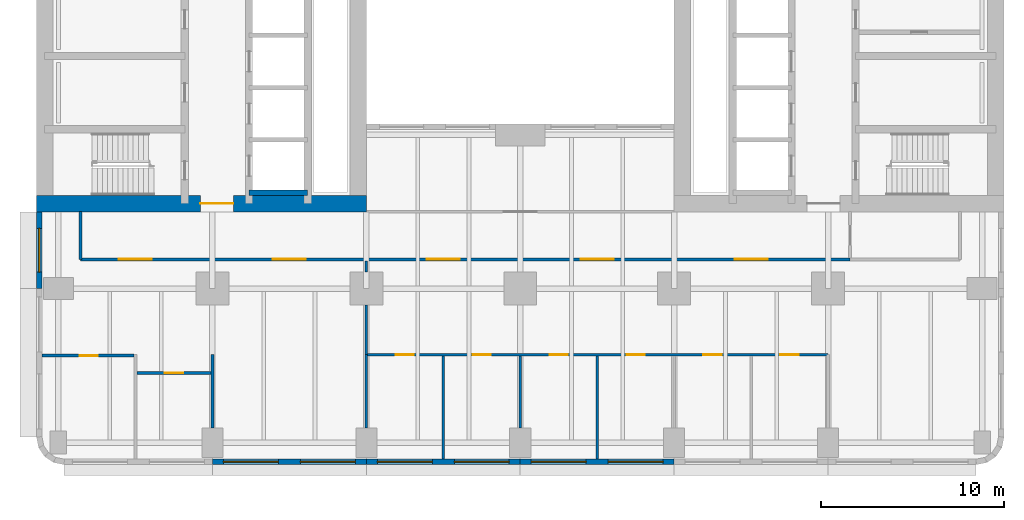
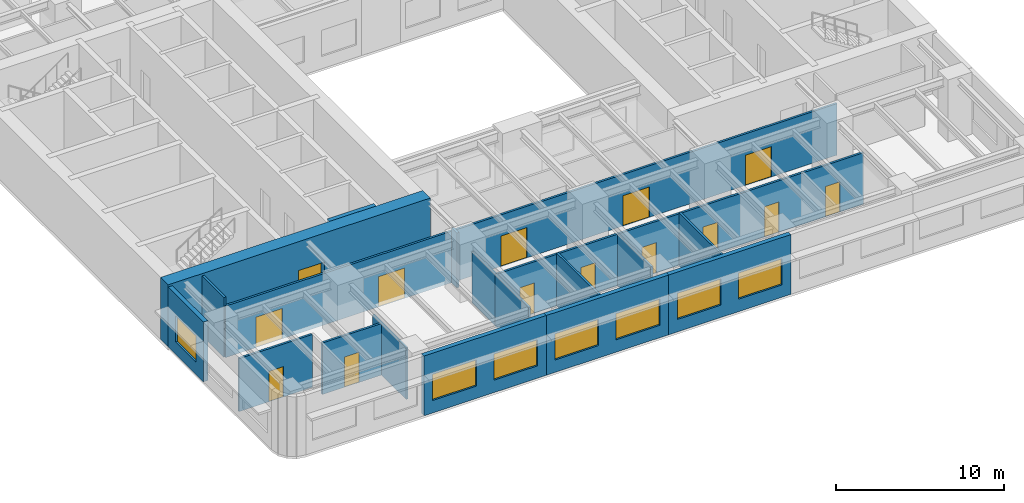
# One storey, part 3 of 12: 18 walls, 14 doors, 7 windows, 21 openings.
"""IFC4 building model written with IfcOpenShell, lengths in metres."""

from ifc_helpers import new_model, si_unit, direction, frame, frame_2d, origin, place, context, subcontext, project, spatial, rectangle, extrude, material, layer, layer_set, type_object, element, fill, save


model = new_model("IFC4")

# Units and contexts
model_context = context("Model", 3, precision=1e-05, world=origin(), true_north=direction((0.0, 1.0)))
body_context = subcontext(model_context, "Body", "Model", "MODEL_VIEW")
ifc_project = project(units=[si_unit("LENGTHUNIT", "METRE"), si_unit("AREAUNIT", "SQUARE_METRE"), si_unit("VOLUMEUNIT", "CUBIC_METRE"), si_unit("PLANEANGLEUNIT", "RADIAN"), si_unit("MASSUNIT", "GRAM", prefix="KILO")], contexts=[model_context])

# Site, building, storey
site_placement = place(None, origin())
site = spatial("IfcSite", under=ifc_project, at=site_placement, CompositionType="ELEMENT")
building_placement = place(site_placement, origin())
building = spatial("IfcBuilding", under=site, at=building_placement, Name="Claustro Exchange Tower", CompositionType="ELEMENT")
storey_placement = place(building_placement, frame((0.0, 0.0, 63.89990234375)))
storey = spatial("IfcBuildingStorey", under=building, at=storey_placement, Name="L14", CompositionType="ELEMENT", Elevation=63.89990234375)

# Wall, opening, door
ifc_material_1 = material(Name="Gypsum board on steel studs", Category="steel")
ifc_layer_1 = layer(ifc_material_1, 0.14990234375)
ifc_layer_set_1 = layer_set([ifc_layer_1], Name="Gypsum board on steel studs")
wall_type_1 = type_object("IfcWallType", Name="P1 150 plasterboard partition", PredefinedType="PARTITIONING", material=ifc_layer_set_1)
wall_1_placement = place(storey_placement, frame((-0.902099609375, 4.75, 0.0), z_axis=(0.0, 0.0, 1.0), x_axis=(1.0, 0.0, 0.0)))
wall_1 = element("IfcWall", 1, at=wall_1_placement, inside=storey, type_object=wall_type_1, Name="Partition P1 L14", PredefinedType="PARTITIONING", context=body_context, shape_type="SweptSolid", body=[
    extrude(rectangle(XDim=5.028076171875, YDim=0.14990234375, at=frame_2d((2.51416015625, 0.0))), origin(), (0.0, 0.0, 1.0), 3.840087890625),
])
opening_1_placement = place(wall_1_placement, frame((2.052001953125, 0.0, 0.0)))
opening_1 = element("IfcOpeningElement", 2, at=opening_1_placement, cuts=wall_1, Name="Opening D1", PredefinedType="OPENING", context=body_context, shape_type="SweptSolid", body=[
    extrude(rectangle(XDim=1.0, YDim=2.199951171875, at=frame_2d((0.5, 1.10009765625))), frame((0.0, 0.0849609375, 0.0), z_axis=(0.0, -1.0, 0.0), x_axis=(1.0, 0.0, 0.0)), (0.0, 0.0, 1.0), 0.169921875),
])
ifc_material_2 = material(Name="Timber door, oak veneer", Category="wood")
door_type_1 = type_object("IfcDoorType", Name="D1 1000 x 2200 single door", OperationType="SINGLE_SWING_LEFT", PredefinedType="DOOR", material=ifc_material_2)
door_1_placement = place(opening_1_placement, frame((1.0, 0.0, 0.0), z_axis=(0.0, 0.0, 1.0), x_axis=(-1.0, 0.0, 0.0)))
door_1 = element("IfcDoor", 3, at=door_1_placement, inside=storey, type_object=door_type_1, Name="Door D1 L14", OperationType="SINGLE_SWING_LEFT", OverallHeight=2.199951171875, OverallWidth=1.0, PredefinedType="DOOR", context=body_context, shape_type="SweptSolid", body=[
    extrude(rectangle(XDim=1.0, YDim=2.199951171875, at=frame_2d((0.5, 1.10009765625))), frame((0.0, 0.02490234375, 0.0), z_axis=(0.0, -1.0, 0.0), x_axis=(1.0, 0.0, 0.0)), (0.0, 0.0, 1.0), 0.050048828125),
])
fill(opening_1, door_1)

wall_2_placement = place(storey_placement, frame((4.27392578125, 3.800048828125, 0.0), z_axis=(0.0, 0.0, 1.0), x_axis=(1.0, 0.0, 0.0)))
wall_2 = element("IfcWall", 4, at=wall_2_placement, inside=storey, type_object=wall_type_1, Name="Partition P1 L14", PredefinedType="PARTITIONING", context=body_context, shape_type="SweptSolid", body=[
    extrude(rectangle(XDim=4.052001953125, YDim=0.14990234375, at=frame_2d((2.02587890625, 0.0))), origin(), (0.0, 0.0, 1.0), 3.739990234375),
])
opening_2_placement = place(wall_2_placement, frame((1.52587890625, 0.0, 0.0)))
opening_2 = element("IfcOpeningElement", 5, at=opening_2_placement, cuts=wall_2, Name="Opening D1", PredefinedType="OPENING", context=body_context, shape_type="SweptSolid", body=[
    extrude(rectangle(XDim=1.0, YDim=2.199951171875, at=frame_2d((0.5, 1.10009765625))), frame((0.0, 0.0849609375, 0.0), z_axis=(0.0, -1.0, 0.0), x_axis=(1.0, 0.0, 0.0)), (0.0, 0.0, 1.0), 0.169921875),
])
door_2_placement = place(opening_2_placement, frame((1.0, 0.0, 0.0), z_axis=(0.0, 0.0, 1.0), x_axis=(-1.0, 0.0, 0.0)))
door_2 = element("IfcDoor", 6, at=door_2_placement, inside=storey, type_object=door_type_1, Name="Door D1 L14", OperationType="SINGLE_SWING_RIGHT", OverallHeight=2.199951171875, OverallWidth=1.0, PredefinedType="DOOR", context=body_context, shape_type="SweptSolid", body=[
    extrude(rectangle(XDim=1.0, YDim=2.199951171875, at=frame_2d((0.5, 1.10009765625))), frame((0.0, 0.02490234375, 0.0), z_axis=(0.0, -1.0, 0.0), x_axis=(1.0, 0.0, 0.0)), (0.0, 0.0, 1.0), 0.050048828125),
])
fill(opening_2, door_2)

# Wall
wall_3_placement = place(storey_placement, frame((8.39990234375, 0.799072265625, 0.0), z_axis=(0.0, 0.0, 1.0), x_axis=(0.0, 1.0, 0.0)))
element("IfcWall", 7, at=wall_3_placement, inside=storey, type_object=wall_type_1, Name="Partition P1 L14", PredefinedType="PARTITIONING", context=body_context, shape_type="SweptSolid", body=[
    extrude(rectangle(XDim=4.0009765625, YDim=0.14990234375, at=frame_2d((2.00048828125, 0.0))), origin(), (0.0, 0.0, 1.0), 3.739990234375),
])

# Wall, openings, doors
wall_4_placement = place(storey_placement, frame((16.8740234375, 4.800048828125, 0.0), z_axis=(0.0, 0.0, 1.0), x_axis=(1.0, 0.0, 0.0)))
wall_4 = element("IfcWall", 8, at=wall_4_placement, inside=storey, type_object=wall_type_1, Name="Partition P1 L14", PredefinedType="PARTITIONING", context=body_context, shape_type="SweptSolid", body=[
    extrude(rectangle(XDim=25.1259765625, YDim=0.14990234375, at=frame_2d((12.56298828125, 0.0))), origin(), (0.0, 0.0, 1.0), 3.739990234375),
])
opening_3_placement = place(wall_4_placement, frame((1.52587890625, 0.0, 0.0)))
opening_3 = element("IfcOpeningElement", 9, at=opening_3_placement, cuts=wall_4, Name="Opening D1", PredefinedType="OPENING", context=body_context, shape_type="SweptSolid", body=[
    extrude(rectangle(XDim=1.0, YDim=2.199951171875, at=frame_2d((0.5, 1.10009765625))), frame((0.0, 0.0849609375, 0.0), z_axis=(0.0, -1.0, 0.0), x_axis=(1.0, 0.0, 0.0)), (0.0, 0.0, 1.0), 0.169921875),
])
opening_4_placement = place(wall_4_placement, frame((5.72607421875, 0.0, 0.0)))
opening_4 = element("IfcOpeningElement", 10, at=opening_4_placement, cuts=wall_4, Name="Opening D1", PredefinedType="OPENING", context=body_context, shape_type="SweptSolid", body=[
    extrude(rectangle(XDim=1.0, YDim=2.199951171875, at=frame_2d((0.5, 1.10009765625))), frame((0.0, 0.0849609375, 0.0), z_axis=(0.0, -1.0, 0.0), x_axis=(1.0, 0.0, 0.0)), (0.0, 0.0, 1.0), 0.169921875),
])
opening_5_placement = place(wall_4_placement, frame((9.926025390625, 0.0, 0.0)))
opening_5 = element("IfcOpeningElement", 11, at=opening_5_placement, cuts=wall_4, Name="Opening D1", PredefinedType="OPENING", context=body_context, shape_type="SweptSolid", body=[
    extrude(rectangle(XDim=1.0, YDim=2.199951171875, at=frame_2d((0.5, 1.10009765625))), frame((0.0, 0.0849609375, 0.0), z_axis=(0.0, -1.0, 0.0), x_axis=(1.0, 0.0, 0.0)), (0.0, 0.0, 1.0), 0.169921875),
])
opening_6_placement = place(wall_4_placement, frame((14.1259765625, 0.0, 0.0)))
opening_6 = element("IfcOpeningElement", 12, at=opening_6_placement, cuts=wall_4, Name="Opening D1", PredefinedType="OPENING", context=body_context, shape_type="SweptSolid", body=[
    extrude(rectangle(XDim=1.0, YDim=2.199951171875, at=frame_2d((0.5, 1.10009765625))), frame((0.0, 0.0849609375, 0.0), z_axis=(0.0, -1.0, 0.0), x_axis=(1.0, 0.0, 0.0)), (0.0, 0.0, 1.0), 0.169921875),
])
opening_7_placement = place(wall_4_placement, frame((18.325927734375, 0.0, 0.0)))
opening_7 = element("IfcOpeningElement", 13, at=opening_7_placement, cuts=wall_4, Name="Opening D1", PredefinedType="OPENING", context=body_context, shape_type="SweptSolid", body=[
    extrude(rectangle(XDim=1.0, YDim=2.199951171875, at=frame_2d((0.5, 1.10009765625))), frame((0.0, 0.0849609375, 0.0), z_axis=(0.0, -1.0, 0.0), x_axis=(1.0, 0.0, 0.0)), (0.0, 0.0, 1.0), 0.169921875),
])
opening_8_placement = place(wall_4_placement, frame((22.52587890625, 0.0, 0.0)))
opening_8 = element("IfcOpeningElement", 14, at=opening_8_placement, cuts=wall_4, Name="Opening D1", PredefinedType="OPENING", context=body_context, shape_type="SweptSolid", body=[
    extrude(rectangle(XDim=1.0, YDim=2.199951171875, at=frame_2d((0.5, 1.10009765625))), frame((0.0, 0.0849609375, 0.0), z_axis=(0.0, -1.0, 0.0), x_axis=(1.0, 0.0, 0.0)), (0.0, 0.0, 1.0), 0.169921875),
])
door_3_placement = place(opening_3_placement, frame((1.0, 0.0, 0.0), z_axis=(0.0, 0.0, 1.0), x_axis=(-1.0, 0.0, 0.0)))
door_3 = element("IfcDoor", 15, at=door_3_placement, inside=storey, type_object=door_type_1, Name="Door D1 L14", OperationType="SINGLE_SWING_RIGHT", OverallHeight=2.199951171875, OverallWidth=1.0, PredefinedType="DOOR", context=body_context, shape_type="SweptSolid", body=[
    extrude(rectangle(XDim=1.0, YDim=2.199951171875, at=frame_2d((0.5, 1.10009765625))), frame((0.0, 0.02490234375, 0.0), z_axis=(0.0, -1.0, 0.0), x_axis=(1.0, 0.0, 0.0)), (0.0, 0.0, 1.0), 0.050048828125),
])
fill(opening_3, door_3)
door_4_placement = place(opening_4_placement, frame((1.0, 0.0, 0.0), z_axis=(0.0, 0.0, 1.0), x_axis=(-1.0, 0.0, 0.0)))
door_4 = element("IfcDoor", 16, at=door_4_placement, inside=storey, type_object=door_type_1, Name="Door D1 L14", OperationType="SINGLE_SWING_RIGHT", OverallHeight=2.199951171875, OverallWidth=1.0, PredefinedType="DOOR", context=body_context, shape_type="SweptSolid", body=[
    extrude(rectangle(XDim=1.0, YDim=2.199951171875, at=frame_2d((0.5, 1.10009765625))), frame((0.0, 0.02490234375, 0.0), z_axis=(0.0, -1.0, 0.0), x_axis=(1.0, 0.0, 0.0)), (0.0, 0.0, 1.0), 0.050048828125),
])
fill(opening_4, door_4)
door_5_placement = place(opening_5_placement, frame((1.0, 0.0, 0.0), z_axis=(0.0, 0.0, 1.0), x_axis=(-1.0, 0.0, 0.0)))
door_5 = element("IfcDoor", 17, at=door_5_placement, inside=storey, type_object=door_type_1, Name="Door D1 L14", OperationType="SINGLE_SWING_RIGHT", OverallHeight=2.199951171875, OverallWidth=1.0, PredefinedType="DOOR", context=body_context, shape_type="SweptSolid", body=[
    extrude(rectangle(XDim=1.0, YDim=2.199951171875, at=frame_2d((0.5, 1.10009765625))), frame((0.0, 0.02490234375, 0.0), z_axis=(0.0, -1.0, 0.0), x_axis=(1.0, 0.0, 0.0)), (0.0, 0.0, 1.0), 0.050048828125),
])
fill(opening_5, door_5)
door_6_placement = place(opening_6_placement, frame((1.0, 0.0, 0.0), z_axis=(0.0, 0.0, 1.0), x_axis=(-1.0, 0.0, 0.0)))
door_6 = element("IfcDoor", 18, at=door_6_placement, inside=storey, type_object=door_type_1, Name="Door D1 L14", OperationType="SINGLE_SWING_RIGHT", OverallHeight=2.199951171875, OverallWidth=1.0, PredefinedType="DOOR", context=body_context, shape_type="SweptSolid", body=[
    extrude(rectangle(XDim=1.0, YDim=2.199951171875, at=frame_2d((0.5, 1.10009765625))), frame((0.0, 0.02490234375, 0.0), z_axis=(0.0, -1.0, 0.0), x_axis=(1.0, 0.0, 0.0)), (0.0, 0.0, 1.0), 0.050048828125),
])
fill(opening_6, door_6)
door_7_placement = place(opening_7_placement, frame((1.0, 0.0, 0.0), z_axis=(0.0, 0.0, 1.0), x_axis=(-1.0, 0.0, 0.0)))
door_7 = element("IfcDoor", 19, at=door_7_placement, inside=storey, type_object=door_type_1, Name="Door D1 L14", OperationType="SINGLE_SWING_RIGHT", OverallHeight=2.199951171875, OverallWidth=1.0, PredefinedType="DOOR", context=body_context, shape_type="SweptSolid", body=[
    extrude(rectangle(XDim=1.0, YDim=2.199951171875, at=frame_2d((0.5, 1.10009765625))), frame((0.0, 0.02490234375, 0.0), z_axis=(0.0, -1.0, 0.0), x_axis=(1.0, 0.0, 0.0)), (0.0, 0.0, 1.0), 0.050048828125),
])
fill(opening_7, door_7)
door_8_placement = place(opening_8_placement, frame((1.0, 0.0, 0.0), z_axis=(0.0, 0.0, 1.0), x_axis=(-1.0, 0.0, 0.0)))
door_8 = element("IfcDoor", 20, at=door_8_placement, inside=storey, type_object=door_type_1, Name="Door D1 L14", OperationType="SINGLE_SWING_RIGHT", OverallHeight=2.199951171875, OverallWidth=1.0, PredefinedType="DOOR", context=body_context, shape_type="SweptSolid", body=[
    extrude(rectangle(XDim=1.0, YDim=2.199951171875, at=frame_2d((0.5, 1.10009765625))), frame((0.0, 0.02490234375, 0.0), z_axis=(0.0, -1.0, 0.0), x_axis=(1.0, 0.0, 0.0)), (0.0, 0.0, 1.0), 0.050048828125),
])
fill(opening_8, door_8)

# Walls
wall_5_placement = place(storey_placement, frame((16.800048828125, 0.799072265625, 0.0), z_axis=(0.0, 0.0, 1.0), x_axis=(0.0, 1.0, 0.0)))
element("IfcWall", 21, at=wall_5_placement, inside=storey, type_object=wall_type_1, Name="Partition P1 L14", PredefinedType="PARTITIONING", context=body_context, shape_type="SweptSolid", body=[
    extrude(rectangle(XDim=4.0029296875, YDim=0.14990234375, at=frame_2d((2.00146484375, 0.0))), origin(), (0.0, 0.0, 1.0), 3.739990234375),
])
wall_6_placement = place(storey_placement, frame((21.0, -0.902099609375, 0.0), z_axis=(0.0, 0.0, 1.0), x_axis=(0.0, 1.0, 0.0)))
element("IfcWall", 22, at=wall_6_placement, inside=storey, type_object=wall_type_1, Name="Partition P1 L14", PredefinedType="PARTITIONING", context=body_context, shape_type="SweptSolid", body=[
    extrude(rectangle(XDim=5.628173828125, YDim=0.14990234375, at=frame_2d((2.81396484375, 0.0))), origin(), (0.0, 0.0, 1.0), 3.840087890625),
])
wall_7_placement = place(storey_placement, frame((25.199951171875, 0.799072265625, 0.0), z_axis=(0.0, 0.0, 1.0), x_axis=(0.0, 1.0, 0.0)))
element("IfcWall", 23, at=wall_7_placement, inside=storey, type_object=wall_type_1, Name="Partition P1 L14", PredefinedType="PARTITIONING", context=body_context, shape_type="SweptSolid", body=[
    extrude(rectangle(XDim=3.927001953125, YDim=0.14990234375, at=frame_2d((1.96337890625, 0.0))), origin(), (0.0, 0.0, 1.0), 3.739990234375),
])
wall_8_placement = place(storey_placement, frame((29.39990234375, -0.902099609375, 0.0), z_axis=(0.0, 0.0, 1.0), x_axis=(0.0, 1.0, 0.0)))
element("IfcWall", 24, at=wall_8_placement, inside=storey, type_object=wall_type_1, Name="Partition P1 L14", PredefinedType="PARTITIONING", context=body_context, shape_type="SweptSolid", body=[
    extrude(rectangle(XDim=5.628173828125, YDim=0.14990234375, at=frame_2d((2.81396484375, 0.0))), origin(), (0.0, 0.0, 1.0), 3.840087890625),
])
wall_9_placement = place(storey_placement, frame((16.800048828125, 4.798095703125, 0.0), z_axis=(0.0, 0.0, 1.0), x_axis=(0.0, 1.0, 0.0)))
element("IfcWall", 25, at=wall_9_placement, inside=storey, type_object=wall_type_1, Name="Partition P1 L14", PredefinedType="PARTITIONING", context=body_context, shape_type="SweptSolid", body=[
    extrude(rectangle(XDim=2.702880859375, YDim=0.14990234375, at=frame_2d((1.3515625, 0.0))), origin(), (0.0, 0.0, 1.0), 3.739990234375),
])
wall_10_placement = place(storey_placement, frame((16.800048828125, 9.299072265625, 0.0), z_axis=(0.0, 0.0, 1.0), x_axis=(0.0, 1.0, 0.0)))
element("IfcWall", 26, at=wall_10_placement, inside=storey, type_object=wall_type_1, Name="Partition P1 L14", PredefinedType="PARTITIONING", context=body_context, shape_type="SweptSolid", body=[
    extrude(rectangle(XDim=0.626953125, YDim=0.14990234375, at=frame_2d((0.3134765625, 0.0))), origin(), (0.0, 0.0, 1.0), 3.97998046875),
])

# Wall, openings, doors
wall_11_placement = place(storey_placement, frame((1.199951171875, 10.0, 0.0), z_axis=(0.0, 0.0, 1.0), x_axis=(1.0, 0.0, 0.0)))
wall_11 = element("IfcWall", 27, at=wall_11_placement, inside=storey, type_object=wall_type_1, Name="Partition P1 L14", PredefinedType="PARTITIONING", context=body_context, shape_type="SweptSolid", body=[
    extrude(rectangle(XDim=42.001953125, YDim=0.14990234375, at=frame_2d((21.0009765625, 0.0))), origin(), (0.0, 0.0, 1.0), 3.739990234375),
])
opening_9_placement = place(wall_11_placement, frame((2.10009765625, 0.0, 0.0)))
opening_9 = element("IfcOpeningElement", 28, at=opening_9_placement, cuts=wall_11, Name="Opening D2", PredefinedType="OPENING", context=body_context, shape_type="SweptSolid", body=[
    extrude(rectangle(XDim=1.800048828125, YDim=2.199951171875, at=frame_2d((0.89990234375, 1.10009765625))), frame((0.0, 0.0849609375, 0.0), z_axis=(0.0, -1.0, 0.0), x_axis=(1.0, 0.0, 0.0)), (0.0, 0.0, 1.0), 0.169921875),
])
opening_10_placement = place(wall_11_placement, frame((10.5, 0.0, 0.0)))
opening_10 = element("IfcOpeningElement", 29, at=opening_10_placement, cuts=wall_11, Name="Opening D2", PredefinedType="OPENING", context=body_context, shape_type="SweptSolid", body=[
    extrude(rectangle(XDim=1.800048828125, YDim=2.199951171875, at=frame_2d((0.89990234375, 1.10009765625))), frame((0.0, 0.0849609375, 0.0), z_axis=(0.0, -1.0, 0.0), x_axis=(1.0, 0.0, 0.0)), (0.0, 0.0, 1.0), 0.169921875),
])
opening_11_placement = place(wall_11_placement, frame((18.89990234375, 0.0, 0.0)))
opening_11 = element("IfcOpeningElement", 30, at=opening_11_placement, cuts=wall_11, Name="Opening D2", PredefinedType="OPENING", context=body_context, shape_type="SweptSolid", body=[
    extrude(rectangle(XDim=1.800048828125, YDim=2.199951171875, at=frame_2d((0.89990234375, 1.10009765625))), frame((0.0, 0.0849609375, 0.0), z_axis=(0.0, -1.0, 0.0), x_axis=(1.0, 0.0, 0.0)), (0.0, 0.0, 1.0), 0.169921875),
])
opening_12_placement = place(wall_11_placement, frame((27.300048828125, 0.0, 0.0)))
opening_12 = element("IfcOpeningElement", 31, at=opening_12_placement, cuts=wall_11, Name="Opening D2", PredefinedType="OPENING", context=body_context, shape_type="SweptSolid", body=[
    extrude(rectangle(XDim=1.800048828125, YDim=2.199951171875, at=frame_2d((0.89990234375, 1.10009765625))), frame((0.0, 0.0849609375, 0.0), z_axis=(0.0, -1.0, 0.0), x_axis=(1.0, 0.0, 0.0)), (0.0, 0.0, 1.0), 0.169921875),
])
opening_13_placement = place(wall_11_placement, frame((35.699951171875, 0.0, 0.0)))
opening_13 = element("IfcOpeningElement", 32, at=opening_13_placement, cuts=wall_11, Name="Opening D2", PredefinedType="OPENING", context=body_context, shape_type="SweptSolid", body=[
    extrude(rectangle(XDim=1.800048828125, YDim=2.199951171875, at=frame_2d((0.89990234375, 1.10009765625))), frame((0.0, 0.0849609375, 0.0), z_axis=(0.0, -1.0, 0.0), x_axis=(1.0, 0.0, 0.0)), (0.0, 0.0, 1.0), 0.169921875),
])
ifc_material_3 = material(Name="Timber door, oak veneer", Category="wood")
door_type_2 = type_object("IfcDoorType", Name="D2 1800 x 2200 double door", OperationType="DOUBLE_DOOR_SINGLE_SWING", PredefinedType="DOOR", material=ifc_material_3)
door_9_placement = place(opening_9_placement, frame((1.800048828125, 0.0, 0.0), z_axis=(0.0, 0.0, 1.0), x_axis=(-1.0, 0.0, 0.0)))
door_9 = element("IfcDoor", 33, at=door_9_placement, inside=storey, type_object=door_type_2, Name="Double door D2 L14", OperationType="DOUBLE_DOOR_SINGLE_SWING", OverallHeight=2.199951171875, OverallWidth=1.800048828125, PredefinedType="DOOR", context=body_context, shape_type="SweptSolid", body=[
    extrude(rectangle(XDim=1.800048828125, YDim=2.199951171875, at=frame_2d((0.89990234375, 1.10009765625))), frame((0.0, 0.02490234375, 0.0), z_axis=(0.0, -1.0, 0.0), x_axis=(1.0, 0.0, 0.0)), (0.0, 0.0, 1.0), 0.050048828125),
])
fill(opening_9, door_9)
door_10_placement = place(opening_10_placement, frame((1.800048828125, 0.0, 0.0), z_axis=(0.0, 0.0, 1.0), x_axis=(-1.0, 0.0, 0.0)))
door_10 = element("IfcDoor", 34, at=door_10_placement, inside=storey, type_object=door_type_2, Name="Double door D2 L14", OperationType="DOUBLE_DOOR_SINGLE_SWING", OverallHeight=2.199951171875, OverallWidth=1.800048828125, PredefinedType="DOOR", context=body_context, shape_type="SweptSolid", body=[
    extrude(rectangle(XDim=1.800048828125, YDim=2.199951171875, at=frame_2d((0.89990234375, 1.10009765625))), frame((0.0, 0.02490234375, 0.0), z_axis=(0.0, -1.0, 0.0), x_axis=(1.0, 0.0, 0.0)), (0.0, 0.0, 1.0), 0.050048828125),
])
fill(opening_10, door_10)
door_11_placement = place(opening_11_placement, frame((1.800048828125, 0.0, 0.0), z_axis=(0.0, 0.0, 1.0), x_axis=(-1.0, 0.0, 0.0)))
door_11 = element("IfcDoor", 35, at=door_11_placement, inside=storey, type_object=door_type_2, Name="Double door D2 L14", OperationType="DOUBLE_DOOR_SINGLE_SWING", OverallHeight=2.199951171875, OverallWidth=1.800048828125, PredefinedType="DOOR", context=body_context, shape_type="SweptSolid", body=[
    extrude(rectangle(XDim=1.800048828125, YDim=2.199951171875, at=frame_2d((0.89990234375, 1.10009765625))), frame((0.0, 0.02490234375, 0.0), z_axis=(0.0, -1.0, 0.0), x_axis=(1.0, 0.0, 0.0)), (0.0, 0.0, 1.0), 0.050048828125),
])
fill(opening_11, door_11)
door_12_placement = place(opening_12_placement, frame((1.800048828125, 0.0, 0.0), z_axis=(0.0, 0.0, 1.0), x_axis=(-1.0, 0.0, 0.0)))
door_12 = element("IfcDoor", 36, at=door_12_placement, inside=storey, type_object=door_type_2, Name="Double door D2 L14", OperationType="DOUBLE_DOOR_SINGLE_SWING", OverallHeight=2.199951171875, OverallWidth=1.800048828125, PredefinedType="DOOR", context=body_context, shape_type="SweptSolid", body=[
    extrude(rectangle(XDim=1.800048828125, YDim=2.199951171875, at=frame_2d((0.89990234375, 1.10009765625))), frame((0.0, 0.02490234375, 0.0), z_axis=(0.0, -1.0, 0.0), x_axis=(1.0, 0.0, 0.0)), (0.0, 0.0, 1.0), 0.050048828125),
])
fill(opening_12, door_12)
door_13_placement = place(opening_13_placement, frame((1.800048828125, 0.0, 0.0), z_axis=(0.0, 0.0, 1.0), x_axis=(-1.0, 0.0, 0.0)))
door_13 = element("IfcDoor", 37, at=door_13_placement, inside=storey, type_object=door_type_2, Name="Double door D2 L14", OperationType="DOUBLE_DOOR_SINGLE_SWING", OverallHeight=2.199951171875, OverallWidth=1.800048828125, PredefinedType="DOOR", context=body_context, shape_type="SweptSolid", body=[
    extrude(rectangle(XDim=1.800048828125, YDim=2.199951171875, at=frame_2d((0.89990234375, 1.10009765625))), frame((0.0, 0.02490234375, 0.0), z_axis=(0.0, -1.0, 0.0), x_axis=(1.0, 0.0, 0.0)), (0.0, 0.0, 1.0), 0.050048828125),
])
fill(opening_13, door_13)

# Wall
wall_12_placement = place(storey_placement, frame((1.199951171875, 10.0, 0.0), z_axis=(0.0, 0.0, 1.0), x_axis=(0.0, 1.0, 0.0)))
element("IfcWall", 38, at=wall_12_placement, inside=storey, type_object=wall_type_1, Name="Partition P1 L14", PredefinedType="PARTITIONING", context=body_context, shape_type="SweptSolid", body=[
    extrude(rectangle(XDim=2.60205078125, YDim=0.14990234375, at=frame_2d((1.301025390625, 0.0))), origin(), (0.0, 0.0, 1.0), 4.340087890625),
])

# Wall, openings, windows
ifc_material_4 = material(Name="Concrete HA-40 (C40/50), precast, white cement, acid-etched", Category="concrete")
ifc_layer_2 = layer(ifc_material_4, 0.300048828125)
ifc_layer_set_2 = layer_set([ifc_layer_2], Name="Concrete HA-40 (C40/50), precast, white cement, acid-etched")
wall_type_2 = type_object("IfcWallType", Name="PC1 300 precast concrete pier panel", PredefinedType="SOLIDWALL", material=ifc_layer_set_2)
wall_13_placement = place(storey_placement, frame((33.60009765625, -1.050048828125, 0.0), z_axis=(0.0, 0.0, 1.0), x_axis=(-1.0, 0.0, 0.0)))
wall_13 = element("IfcWall", 39, at=wall_13_placement, inside=storey, type_object=wall_type_2, Name="Precast pier panel PC1 L14", PredefinedType="SOLIDWALL", context=body_context, shape_type="SweptSolid", body=[
    extrude(rectangle(XDim=8.400146484375, YDim=0.300048828125, at=frame_2d((4.2001953125, 0.0))), origin(), (0.0, 0.0, 1.0), 4.340087890625),
])
opening_14_placement = place(wall_13_placement, frame((0.60009765625, 0.0, 0.89990234375)))
opening_14 = element("IfcOpeningElement", 40, at=opening_14_placement, cuts=wall_13, Name="Opening W1", PredefinedType="OPENING", context=body_context, shape_type="SweptSolid", body=[
    extrude(rectangle(XDim=3.0, YDim=1.89990234375, at=frame_2d((1.5, 0.949951171875))), frame((0.0, 0.159912109375, 0.0), z_axis=(0.0, -1.0, 0.0), x_axis=(1.0, 0.0, 0.0)), (0.0, 0.0, 1.0), 0.320068359375),
])
opening_15_placement = place(wall_13_placement, frame((4.800048828125, 0.0, 0.89990234375)))
opening_15 = element("IfcOpeningElement", 41, at=opening_15_placement, cuts=wall_13, Name="Opening W1", PredefinedType="OPENING", context=body_context, shape_type="SweptSolid", body=[
    extrude(rectangle(XDim=3.0, YDim=1.89990234375, at=frame_2d((1.5, 0.949951171875))), frame((0.0, 0.159912109375, 0.0), z_axis=(0.0, -1.0, 0.0), x_axis=(1.0, 0.0, 0.0)), (0.0, 0.0, 1.0), 0.320068359375),
])
ifc_material_5 = material(Name="Aluminium frame, clear double glazing", Category="aluminium")
window_type_1 = type_object("IfcWindowType", Name="W1 3000 x 1900 window", PartitioningType="SINGLE_PANEL", PredefinedType="WINDOW", material=ifc_material_5)
window_1_placement = place(opening_14_placement, origin())
window_1 = element("IfcWindow", 42, at=window_1_placement, inside=storey, type_object=window_type_1, Name="Window W1 L14", OverallHeight=1.89990234375, OverallWidth=3.0, PartitioningType="SINGLE_PANEL", PredefinedType="WINDOW", context=body_context, shape_type="SweptSolid", body=[
    extrude(rectangle(XDim=3.0, YDim=1.89990234375, at=frame_2d((1.5, 0.949951171875))), frame((0.0, 0.030029296875, 0.0), z_axis=(0.0, -1.0, 0.0), x_axis=(1.0, 0.0, 0.0)), (0.0, 0.0, 1.0), 0.06005859375),
])
fill(opening_14, window_1)
window_2_placement = place(opening_15_placement, origin())
window_2 = element("IfcWindow", 43, at=window_2_placement, inside=storey, type_object=window_type_1, Name="Window W1 L14", OverallHeight=1.89990234375, OverallWidth=3.0, PartitioningType="SINGLE_PANEL", PredefinedType="WINDOW", context=body_context, shape_type="SweptSolid", body=[
    extrude(rectangle(XDim=3.0, YDim=1.89990234375, at=frame_2d((1.5, 0.949951171875))), frame((0.0, 0.030029296875, 0.0), z_axis=(0.0, -1.0, 0.0), x_axis=(1.0, 0.0, 0.0)), (0.0, 0.0, 1.0), 0.06005859375),
])
fill(opening_15, window_2)

wall_14_placement = place(storey_placement, frame((25.199951171875, -1.050048828125, 0.0), z_axis=(0.0, 0.0, 1.0), x_axis=(-1.0, 0.0, 0.0)))
wall_14 = element("IfcWall", 44, at=wall_14_placement, inside=storey, type_object=wall_type_2, Name="Precast pier panel PC1 L14", PredefinedType="SOLIDWALL", context=body_context, shape_type="SweptSolid", body=[
    extrude(rectangle(XDim=8.39990234375, YDim=0.300048828125, at=frame_2d((4.199951171875, 0.0))), origin(), (0.0, 0.0, 1.0), 4.340087890625),
])
opening_16_placement = place(wall_14_placement, frame((0.60009765625, 0.0, 0.89990234375)))
opening_16 = element("IfcOpeningElement", 45, at=opening_16_placement, cuts=wall_14, Name="Opening W1", PredefinedType="OPENING", context=body_context, shape_type="SweptSolid", body=[
    extrude(rectangle(XDim=3.0, YDim=1.89990234375, at=frame_2d((1.5, 0.949951171875))), frame((0.0, 0.159912109375, 0.0), z_axis=(0.0, -1.0, 0.0), x_axis=(1.0, 0.0, 0.0)), (0.0, 0.0, 1.0), 0.320068359375),
])
opening_17_placement = place(wall_14_placement, frame((4.800048828125, 0.0, 0.89990234375)))
opening_17 = element("IfcOpeningElement", 46, at=opening_17_placement, cuts=wall_14, Name="Opening W1", PredefinedType="OPENING", context=body_context, shape_type="SweptSolid", body=[
    extrude(rectangle(XDim=3.0, YDim=1.89990234375, at=frame_2d((1.5, 0.949951171875))), frame((0.0, 0.159912109375, 0.0), z_axis=(0.0, -1.0, 0.0), x_axis=(1.0, 0.0, 0.0)), (0.0, 0.0, 1.0), 0.320068359375),
])
window_3_placement = place(opening_16_placement, origin())
window_3 = element("IfcWindow", 47, at=window_3_placement, inside=storey, type_object=window_type_1, Name="Window W1 L14", OverallHeight=1.89990234375, OverallWidth=3.0, PartitioningType="SINGLE_PANEL", PredefinedType="WINDOW", context=body_context, shape_type="SweptSolid", body=[
    extrude(rectangle(XDim=3.0, YDim=1.89990234375, at=frame_2d((1.5, 0.949951171875))), frame((0.0, 0.030029296875, 0.0), z_axis=(0.0, -1.0, 0.0), x_axis=(1.0, 0.0, 0.0)), (0.0, 0.0, 1.0), 0.06005859375),
])
fill(opening_16, window_3)
window_4_placement = place(opening_17_placement, origin())
window_4 = element("IfcWindow", 48, at=window_4_placement, inside=storey, type_object=window_type_1, Name="Window W1 L14", OverallHeight=1.89990234375, OverallWidth=3.0, PartitioningType="SINGLE_PANEL", PredefinedType="WINDOW", context=body_context, shape_type="SweptSolid", body=[
    extrude(rectangle(XDim=3.0, YDim=1.89990234375, at=frame_2d((1.5, 0.949951171875))), frame((0.0, 0.030029296875, 0.0), z_axis=(0.0, -1.0, 0.0), x_axis=(1.0, 0.0, 0.0)), (0.0, 0.0, 1.0), 0.06005859375),
])
fill(opening_17, window_4)

wall_15_placement = place(storey_placement, frame((16.800048828125, -1.050048828125, 0.0), z_axis=(0.0, 0.0, 1.0), x_axis=(-1.0, 0.0, 0.0)))
wall_15 = element("IfcWall", 49, at=wall_15_placement, inside=storey, type_object=wall_type_2, Name="Precast pier panel PC1 L14", PredefinedType="SOLIDWALL", context=body_context, shape_type="SweptSolid", body=[
    extrude(rectangle(XDim=8.400146484375, YDim=0.300048828125, at=frame_2d((4.2001953125, 0.0))), origin(), (0.0, 0.0, 1.0), 4.340087890625),
])
opening_18_placement = place(wall_15_placement, frame((0.60009765625, 0.0, 0.89990234375)))
opening_18 = element("IfcOpeningElement", 50, at=opening_18_placement, cuts=wall_15, Name="Opening W1", PredefinedType="OPENING", context=body_context, shape_type="SweptSolid", body=[
    extrude(rectangle(XDim=3.0, YDim=1.89990234375, at=frame_2d((1.5, 0.949951171875))), frame((0.0, 0.159912109375, 0.0), z_axis=(0.0, -1.0, 0.0), x_axis=(1.0, 0.0, 0.0)), (0.0, 0.0, 1.0), 0.320068359375),
])
opening_19_placement = place(wall_15_placement, frame((4.800048828125, 0.0, 0.89990234375)))
opening_19 = element("IfcOpeningElement", 51, at=opening_19_placement, cuts=wall_15, Name="Opening W1", PredefinedType="OPENING", context=body_context, shape_type="SweptSolid", body=[
    extrude(rectangle(XDim=3.0, YDim=1.89990234375, at=frame_2d((1.5, 0.949951171875))), frame((0.0, 0.159912109375, 0.0), z_axis=(0.0, -1.0, 0.0), x_axis=(1.0, 0.0, 0.0)), (0.0, 0.0, 1.0), 0.320068359375),
])
window_5_placement = place(opening_18_placement, origin())
window_5 = element("IfcWindow", 52, at=window_5_placement, inside=storey, type_object=window_type_1, Name="Window W1 L14", OverallHeight=1.89990234375, OverallWidth=3.0, PartitioningType="SINGLE_PANEL", PredefinedType="WINDOW", context=body_context, shape_type="SweptSolid", body=[
    extrude(rectangle(XDim=3.0, YDim=1.89990234375, at=frame_2d((1.5, 0.949951171875))), frame((0.0, 0.030029296875, 0.0), z_axis=(0.0, -1.0, 0.0), x_axis=(1.0, 0.0, 0.0)), (0.0, 0.0, 1.0), 0.06005859375),
])
fill(opening_18, window_5)
window_6_placement = place(opening_19_placement, origin())
window_6 = element("IfcWindow", 53, at=window_6_placement, inside=storey, type_object=window_type_1, Name="Window W1 L14", OverallHeight=1.89990234375, OverallWidth=3.0, PartitioningType="SINGLE_PANEL", PredefinedType="WINDOW", context=body_context, shape_type="SweptSolid", body=[
    extrude(rectangle(XDim=3.0, YDim=1.89990234375, at=frame_2d((1.5, 0.949951171875))), frame((0.0, 0.030029296875, 0.0), z_axis=(0.0, -1.0, 0.0), x_axis=(1.0, 0.0, 0.0)), (0.0, 0.0, 1.0), 0.06005859375),
])
fill(opening_19, window_6)

# Wall, opening, window
wall_16_placement = place(storey_placement, frame((-1.050048828125, 8.39990234375, 0.0), z_axis=(0.0, 0.0, 1.0), x_axis=(0.0, 1.0, 0.0)))
wall_16 = element("IfcWall", 54, at=wall_16_placement, inside=storey, type_object=wall_type_2, Name="Precast pier panel PC1 L14", PredefinedType="SOLIDWALL", context=body_context, shape_type="SweptSolid", body=[
    extrude(rectangle(XDim=4.2001953125, YDim=0.300048828125, at=frame_2d((2.10009765625, 0.0))), origin(), (0.0, 0.0, 1.0), 4.340087890625),
])
opening_20_placement = place(wall_16_placement, frame((0.89990234375, 0.0, 0.89990234375)))
opening_20 = element("IfcOpeningElement", 55, at=opening_20_placement, cuts=wall_16, Name="Opening W2", PredefinedType="OPENING", context=body_context, shape_type="SweptSolid", body=[
    extrude(rectangle(XDim=2.39990234375, YDim=1.89990234375, at=frame_2d((1.199951171875, 0.949951171875))), frame((0.0, 0.159912109375, 0.0), z_axis=(0.0, -1.0, 0.0), x_axis=(1.0, 0.0, 0.0)), (0.0, 0.0, 1.0), 0.320068359375),
])
ifc_material_6 = material(Name="Aluminium frame, clear double glazing", Category="aluminium")
window_type_2 = type_object("IfcWindowType", Name="W2 2400 x 1900 window", PartitioningType="SINGLE_PANEL", PredefinedType="WINDOW", material=ifc_material_6)
window_7_placement = place(opening_20_placement, origin())
window_7 = element("IfcWindow", 56, at=window_7_placement, inside=storey, type_object=window_type_2, Name="Window W2 L14", OverallHeight=1.89990234375, OverallWidth=2.39990234375, PartitioningType="SINGLE_PANEL", PredefinedType="WINDOW", context=body_context, shape_type="SweptSolid", body=[
    extrude(rectangle(XDim=2.39990234375, YDim=1.89990234375, at=frame_2d((1.199951171875, 0.949951171875))), frame((0.0, 0.030029296875, 0.0), z_axis=(0.0, -1.0, 0.0), x_axis=(1.0, 0.0, 0.0)), (0.0, 0.0, 1.0), 0.06005859375),
])
fill(opening_20, window_7)

# Wall, opening, door
ifc_material_7 = material(Name="Concrete HA-70 (C70/85)", Category="concrete")
ifc_layer_3 = layer(ifc_material_7, 0.89990234375)
ifc_layer_set_3 = layer_set([ifc_layer_3], Name="Concrete HA-70 (C70/85)")
wall_type_3 = type_object("IfcWallType", Name="SW1 900 core shear wall", PredefinedType="SHEAR", material=ifc_layer_set_3)
wall_17_placement = place(storey_placement, frame((-1.199951171875, 13.050048828125, 0.0), z_axis=(0.0, 0.0, 1.0), x_axis=(1.0, 0.0, 0.0)))
wall_17 = element("IfcWall", 57, at=wall_17_placement, inside=storey, type_object=wall_type_3, Name="Core wall SW1 W core S face L14", PredefinedType="SHEAR", context=body_context, shape_type="SweptSolid", body=[
    extrude(rectangle(XDim=18.0, YDim=0.89990234375, at=frame_2d((9.0, 0.0))), origin(), (0.0, 0.0, 1.0), 4.5),
])
opening_21_placement = place(wall_17_placement, frame((8.949951171875, 0.0, 0.0)))
opening_21 = element("IfcOpeningElement", 58, at=opening_21_placement, cuts=wall_17, Name="Opening D3", PredefinedType="OPENING", context=body_context, shape_type="SweptSolid", body=[
    extrude(rectangle(XDim=1.800048828125, YDim=2.39990234375, at=frame_2d((0.89990234375, 1.199951171875))), frame((0.0, 0.4599609375, 0.0), z_axis=(0.0, -1.0, 0.0), x_axis=(1.0, 0.0, 0.0)), (0.0, 0.0, 1.0), 0.919921875),
])
ifc_material_8 = material(Name="Steel fire door, painted", Category="steel")
door_type_3 = type_object("IfcDoorType", Name="D3 1800 x 2400 fire-rated lobby double door", OperationType="DOUBLE_DOOR_SINGLE_SWING", PredefinedType="DOOR", material=ifc_material_8)
door_14_placement = place(opening_21_placement, origin())
door_14 = element("IfcDoor", 59, at=door_14_placement, inside=storey, type_object=door_type_3, Name="Lift lobby door D3 L14", OperationType="DOUBLE_DOOR_SINGLE_SWING", OverallHeight=2.39990234375, OverallWidth=1.800048828125, PredefinedType="DOOR", context=body_context, shape_type="SweptSolid", body=[
    extrude(rectangle(XDim=1.800048828125, YDim=2.39990234375, at=frame_2d((0.89990234375, 1.199951171875))), frame((0.0, 0.02490234375, 0.0), z_axis=(0.0, -1.0, 0.0), x_axis=(1.0, 0.0, 0.0)), (0.0, 0.0, 1.0), 0.050048828125),
])
fill(opening_21, door_14)

# Wall
ifc_material_9 = material(Name="Concrete HA-50 (C50/60)", Category="concrete")
ifc_layer_4 = layer(ifc_material_9, 0.300048828125)
ifc_layer_set_4 = layer_set([ifc_layer_4], Name="Concrete HA-50 (C50/60)")
wall_type_4 = type_object("IfcWallType", Name="SW6A 300 lift shaft end wall", PredefinedType="SHEAR", material=ifc_layer_set_4)
wall_18_placement = place(storey_placement, frame((10.39990234375, 13.64990234375, 0.0), z_axis=(0.0, 0.0, 1.0), x_axis=(1.0, 0.0, 0.0)))
element("IfcWall", 60, at=wall_18_placement, inside=storey, type_object=wall_type_4, Name="Lift shaft wall W core L14", PredefinedType="SHEAR", context=body_context, shape_type="SweptSolid", body=[
    extrude(rectangle(XDim=3.2001953125, YDim=0.300048828125, at=frame_2d((1.60009765625, 0.0))), origin(), (0.0, 0.0, 1.0), 4.5),
])

save(model, "model.ifc")
